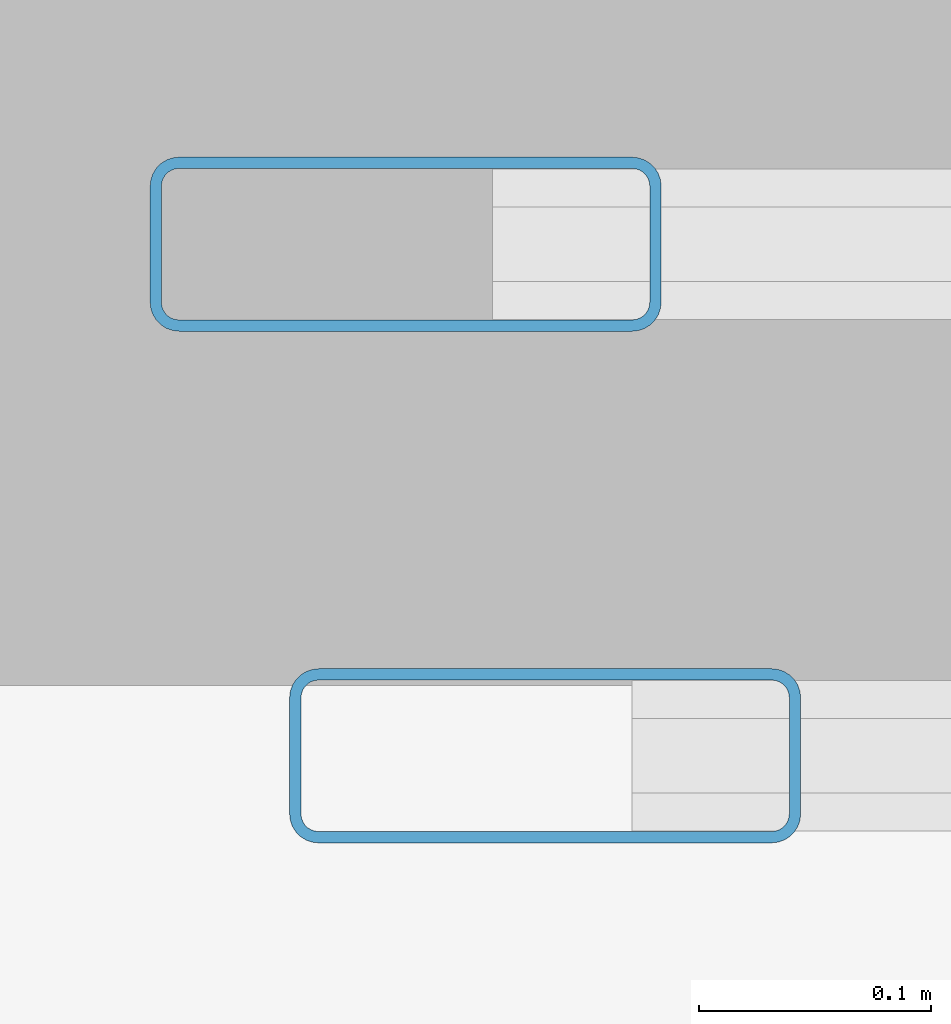
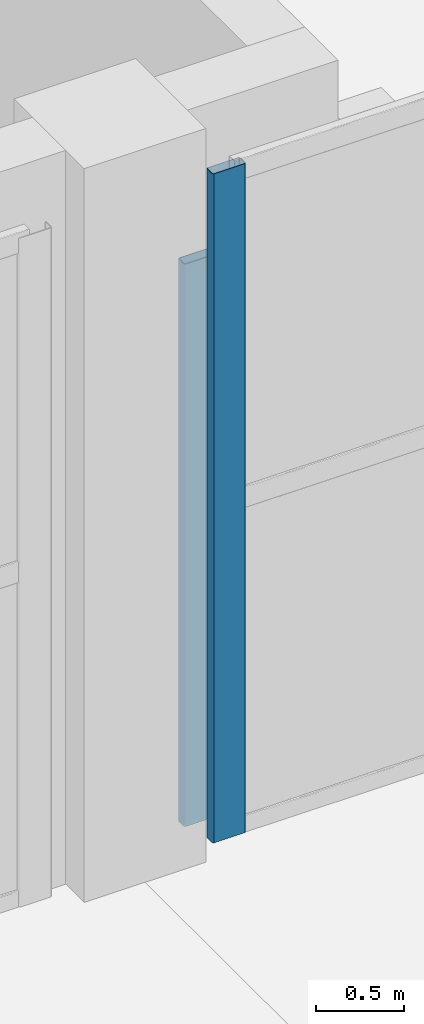
# One storey, part 13 of 77: 2 members, 2 elements without a shape of their own.
"""IFC4 building model written with IfcOpenShell, lengths in metres."""

from ifc_helpers import new_model, si_unit, direction, frame, origin, origin_2d, place, context, subcontext, project, spatial, hollow_rectangle, extrude, material, layer, layer_set, material_profile, profile_set, type_object, element, aggregate, save


model = new_model("IFC4")

# Units and contexts
model_context = context("Model", 3, precision=1e-05, world=origin(), true_north=direction((0.0, 1.0)))
body_context = subcontext(model_context, "Body", "Model", "MODEL_VIEW")
ifc_project = project(units=[si_unit("LENGTHUNIT", "METRE"), si_unit("AREAUNIT", "SQUARE_METRE"), si_unit("VOLUMEUNIT", "CUBIC_METRE"), si_unit("PLANEANGLEUNIT", "RADIAN"), si_unit("MASSUNIT", "GRAM", prefix="KILO")], contexts=[model_context])

# Site, building, storey
site_placement = place(None, origin())
site = spatial("IfcSite", under=ifc_project, at=site_placement, CompositionType="ELEMENT")
building_placement = place(site_placement, origin())
building = spatial("IfcBuilding", under=site, at=building_placement, Name="Zulmaris Art Gallery", CompositionType="ELEMENT")
storey_placement = place(building_placement, frame((0.0, 0.0, 15.60009765625)))
storey = spatial("IfcBuildingStorey", under=building, at=storey_placement, Name="L03", CompositionType="ELEMENT", Elevation=15.60009765625)

# Curtain wall, member
ifc_material_1 = material(Name="Unitised Low-E Gallery Curtain Wall", Category="aluminium")
ifc_layer_1 = layer(ifc_material_1, 0.179931640625)
ifc_layer_set_1 = layer_set([ifc_layer_1], Name="Unitised Low-E Gallery Curtain Wall")
curtain_wall_type_1 = type_object("IfcCurtainWallType", Name="CW-CW01", PredefinedType="NOTDEFINED", material=ifc_layer_set_1)
curtain_wall_1_placement = place(storey_placement, origin())
curtain_wall_1 = element("IfcCurtainWall", 1, at=curtain_wall_1_placement, inside=storey, type_object=curtain_wall_type_1, Name="L03 curtain wall 14", PredefinedType="NOTDEFINED")
ifc_material_2 = material(Name="Anodised Bronze Aluminium", Category="aluminium")
ifc_material_profile = material_profile(ifc_material_2, hollow_rectangle(XDim=0.074951171875, YDim=0.219970703125, WallThickness=0.0048828125, InnerFilletRadius=0.007568359375, OuterFilletRadius=0.012451171875, at=origin_2d()), Name="ALU 75x220x5")
ifc_profile_set = profile_set([ifc_material_profile], Name="Anodised Bronze Aluminium")
member_type = type_object("IfcMemberType", Name="CWMUL-02", PredefinedType="MULLION", material=ifc_profile_set)
member_1_placement = place(storey_placement, frame((74.9775390625, 21.60009765625, 0.0), z_axis=(0.0, 0.0, 1.0), x_axis=(0.0, 1.0, 0.0)))
member_1 = element("IfcMember", 2, at=member_1_placement, type_object=member_type, Name="CW01 mullion 1", PredefinedType="MULLION", context=body_context, shape_type="SweptSolid", body=[
    extrude(hollow_rectangle(XDim=0.074951171875, YDim=0.219970703125, WallThickness=0.0048828125, InnerFilletRadius=0.007568359375, OuterFilletRadius=0.012451171875, at=origin_2d()), origin(), (0.0, 0.0, 1.0), 3.909912109375),
])
aggregate(curtain_wall_1, [member_1])

ifc_material_3 = material(Name="Perforated Bronze Art Deco Mashrabiya Screen", Category="aluminium")
ifc_layer_2 = layer(ifc_material_3, 0.179931640625)
ifc_layer_set_2 = layer_set([ifc_layer_2], Name="Perforated Bronze Art Deco Mashrabiya Screen")
curtain_wall_type_2 = type_object("IfcCurtainWallType", Name="CW-CW06", PredefinedType="USERDEFINED", material=ifc_layer_set_2)
curtain_wall_2_placement = place(storey_placement, origin())
curtain_wall_2 = element("IfcCurtainWall", 3, at=curtain_wall_2_placement, inside=storey, type_object=curtain_wall_type_2, Name="L03 Mashrabiya screen 177", ObjectType="MASHRABIYA SCREEN", PredefinedType="USERDEFINED")
member_2_placement = place(storey_placement, frame((75.03759765625, 21.3798828125, 0.0), z_axis=(0.0, 0.0, 1.0), x_axis=(0.0, 1.0, 0.0)))
member_2 = element("IfcMember", 4, at=member_2_placement, type_object=member_type, Name="CW06 mullion 1", PredefinedType="MULLION", context=body_context, shape_type="SweptSolid", body=[
    extrude(hollow_rectangle(XDim=0.074951171875, YDim=0.219970703125, WallThickness=0.0048828125, InnerFilletRadius=0.007568359375, OuterFilletRadius=0.012451171875, at=origin_2d()), origin(), (0.0, 0.0, 1.0), 4.64990234375),
])
aggregate(curtain_wall_2, [member_2])

save(model, "model.ifc")
